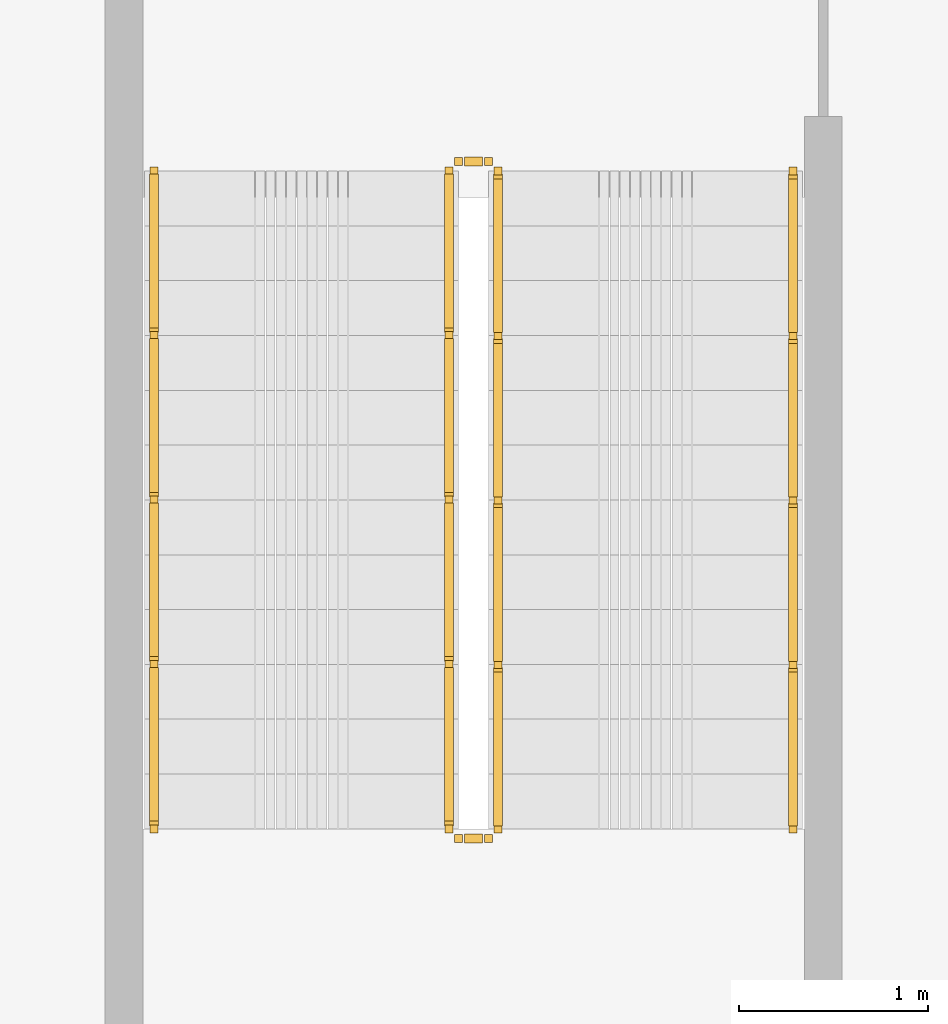
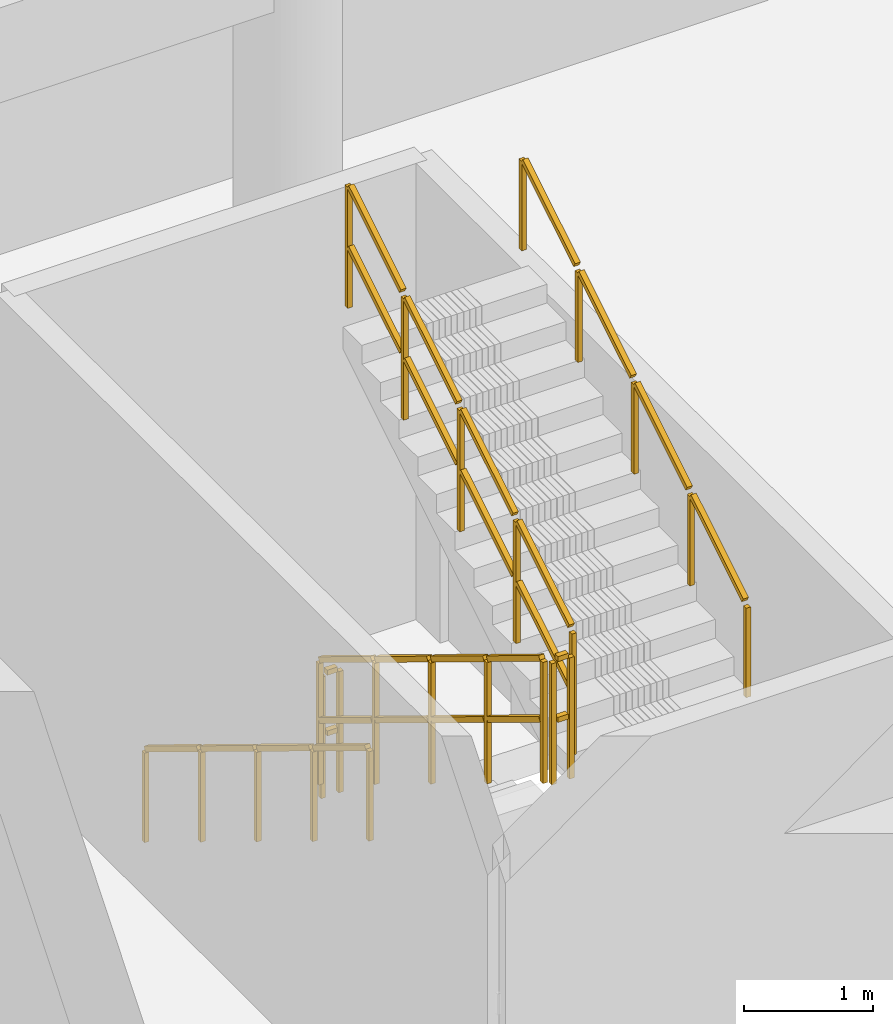
# One storey, part 10 of 12: 6 railings.
"""IFC4 building model written with IfcOpenShell, lengths in metres."""

from ifc_helpers import new_model, si_unit, direction, frame, origin, origin_2d, place, context, subcontext, project, spatial, rectangle, extrude, material, type_object, element, save


model = new_model("IFC4")

# Units and contexts
model_context = context("Model", 3, precision=1e-05, world=origin(), true_north=direction((0.0, 1.0)))
body_context = subcontext(model_context, "Body", "Model", "MODEL_VIEW")
ifc_project = project(units=[si_unit("LENGTHUNIT", "METRE"), si_unit("AREAUNIT", "SQUARE_METRE"), si_unit("VOLUMEUNIT", "CUBIC_METRE"), si_unit("PLANEANGLEUNIT", "RADIAN"), si_unit("MASSUNIT", "GRAM", prefix="KILO")], contexts=[model_context])

# Site, building, storey
site_placement = place(None, origin())
site = spatial("IfcSite", under=ifc_project, at=site_placement, CompositionType="ELEMENT")
building_placement = place(site_placement, origin())
building = spatial("IfcBuilding", under=site, at=building_placement, Name="Saelheon Loggia Tower", CompositionType="ELEMENT")
storey_placement = place(building_placement, frame((0.0, 0.0, -4.60009765625)))
storey = spatial("IfcBuildingStorey", under=building, at=storey_placement, Name="B1", CompositionType="ELEMENT", Elevation=-4.60009765625)

# Railings
ifc_material_1 = material(Name="Galvanised Steel S275 Stairwell Guardrail", Category="steel")
railing_type_1 = type_object("IfcRailingType", Name="Guard_StairWell_RL_STG", PredefinedType="GUARDRAIL", material=ifc_material_1)
railing_1_placement = place(storey_placement, frame((4.9599609375, 45.85009765625, 0.177001953125)))
element("IfcRailing", 1, at=railing_1_placement, inside=storey, type_object=railing_type_1, Name="B1 ST3 stair guard 1", PredefinedType="GUARDRAIL", context=body_context, shape_type="SweptSolid", body=[
    extrude(rectangle(XDim=0.048095703125, YDim=0.048095703125, at=origin_2d()), frame((0.0, -0.0283203125, 1.193115234375), z_axis=(0.0, -0.853675385439, 0.520805468765), x_axis=(1.0, 0.0, 0.0)), (0.0, 0.0, 1.0), 0.95263671875),
    extrude(rectangle(XDim=0.048095703125, YDim=0.048095703125, at=origin_2d()), frame((0.0, -0.0283203125, 0.6171875), z_axis=(0.0, -0.853675385439, 0.520805468765), x_axis=(1.0, 0.0, 0.0)), (0.0, 0.0, 1.0), 0.95263671875),
    extrude(rectangle(XDim=0.048095703125, YDim=0.048095703125, at=origin_2d()), frame((0.0, -0.8984375, 1.723876953125), z_axis=(0.0, -0.853675385439, 0.520805468765), x_axis=(1.0, 0.0, 0.0)), (0.0, 0.0, 1.0), 0.95263671875),
    extrude(rectangle(XDim=0.048095703125, YDim=0.048095703125, at=origin_2d()), frame((0.0, -0.8984375, 1.14794921875), z_axis=(0.0, -0.853675385439, 0.520805468765), x_axis=(1.0, 0.0, 0.0)), (0.0, 0.0, 1.0), 0.95263671875),
    extrude(rectangle(XDim=0.048095703125, YDim=0.048095703125, at=origin_2d()), frame((0.0, -1.768310546875, 2.254638671875), z_axis=(0.0, -0.853675385439, 0.520805468765), x_axis=(1.0, 0.0, 0.0)), (0.0, 0.0, 1.0), 0.95263671875),
    extrude(rectangle(XDim=0.048095703125, YDim=0.048095703125, at=origin_2d()), frame((0.0, -1.768310546875, 1.6787109375), z_axis=(0.0, -0.853675385439, 0.520805468765), x_axis=(1.0, 0.0, 0.0)), (0.0, 0.0, 1.0), 0.95263671875),
    extrude(rectangle(XDim=0.048095703125, YDim=0.048095703125, at=origin_2d()), frame((0.0, -2.638427734375, 2.785400390625), z_axis=(0.0, -0.853675385439, 0.520805468765), x_axis=(1.0, 0.0, 0.0)), (0.0, 0.0, 1.0), 0.95263671875),
    extrude(rectangle(XDim=0.048095703125, YDim=0.048095703125, at=origin_2d()), frame((0.0, -2.638427734375, 2.20947265625), z_axis=(0.0, -0.853675385439, 0.520805468765), x_axis=(1.0, 0.0, 0.0)), (0.0, 0.0, 1.0), 0.95263671875),
    extrude(rectangle(XDim=0.0419921875, YDim=0.0419921875, at=origin_2d()), origin(), (0.0, 0.0, 1.0), 1.14794921875),
    extrude(rectangle(XDim=0.0419921875, YDim=0.0419921875, at=origin_2d()), frame((0.0, -0.8701171875, 0.53076171875)), (0.0, 0.0, 1.0), 1.14794921875),
    extrude(rectangle(XDim=0.0419921875, YDim=0.0419921875, at=origin_2d()), frame((0.0, -1.739990234375, 1.0615234375)), (0.0, 0.0, 1.0), 1.14794921875),
    extrude(rectangle(XDim=0.0419921875, YDim=0.0419921875, at=origin_2d()), frame((0.0, -2.60986328125, 1.59228515625)), (0.0, 0.0, 1.0), 1.14794921875),
    extrude(rectangle(XDim=0.0419921875, YDim=0.0419921875, at=origin_2d()), frame((0.0, -3.47998046875, 2.123046875)), (0.0, 0.0, 1.0), 1.14794921875),
])
railing_2_placement = place(storey_placement, frame((5.010009765625, 42.320068359375, 2.300048828125)))
element("IfcRailing", 2, at=railing_2_placement, inside=storey, type_object=railing_type_1, Name="B1 ST3 stair guard 2", PredefinedType="GUARDRAIL", context=body_context, shape_type="SweptSolid", body=[
    extrude(rectangle(XDim=0.048095703125, YDim=0.048095703125, at=origin_2d()), frame((0.033203125, 0.0, 1.17578125), z_axis=(1.0, 0.0, 0.0), x_axis=(0.0, 1.0, 0.0)), (0.0, 0.0, 1.0), 0.093505859375),
    extrude(rectangle(XDim=0.048095703125, YDim=0.048095703125, at=origin_2d()), frame((0.033203125, 0.0, 0.60009765625), z_axis=(1.0, 0.0, 0.0), x_axis=(0.0, 1.0, 0.0)), (0.0, 0.0, 1.0), 0.093505859375),
    extrude(rectangle(XDim=0.0419921875, YDim=0.0419921875, at=origin_2d()), origin(), (0.0, 0.0, 1.0), 1.14794921875),
    extrude(rectangle(XDim=0.0419921875, YDim=0.0419921875, at=origin_2d()), frame((0.159912109375, 0.0, 0.0)), (0.0, 0.0, 1.0), 1.14794921875),
])
railing_3_placement = place(storey_placement, frame((5.219970703125, 42.3701171875, 2.47705078125)))
element("IfcRailing", 3, at=railing_3_placement, inside=storey, type_object=railing_type_1, Name="B1 ST3 stair guard 3", PredefinedType="GUARDRAIL", context=body_context, shape_type="SweptSolid", body=[
    extrude(rectangle(XDim=0.048095703125, YDim=0.048095703125, at=origin_2d()), frame((0.0, 0.0283203125, 1.193115234375), z_axis=(0.0, 0.853675385439, 0.520805468765), x_axis=(-1.0, 0.0, 0.0)), (0.0, 0.0, 1.0), 0.95263671875),
    extrude(rectangle(XDim=0.048095703125, YDim=0.048095703125, at=origin_2d()), frame((0.0, 0.0283203125, 0.6171875), z_axis=(0.0, 0.853675385439, 0.520805468765), x_axis=(-1.0, 0.0, 0.0)), (0.0, 0.0, 1.0), 0.95263671875),
    extrude(rectangle(XDim=0.048095703125, YDim=0.048095703125, at=origin_2d()), frame((0.0, 0.8984375, 1.723876953125), z_axis=(0.0, 0.853675385439, 0.520805468765), x_axis=(-1.0, 0.0, 0.0)), (0.0, 0.0, 1.0), 0.95263671875),
    extrude(rectangle(XDim=0.048095703125, YDim=0.048095703125, at=origin_2d()), frame((0.0, 0.8984375, 1.14794921875), z_axis=(0.0, 0.853675385439, 0.520805468765), x_axis=(-1.0, 0.0, 0.0)), (0.0, 0.0, 1.0), 0.95263671875),
    extrude(rectangle(XDim=0.048095703125, YDim=0.048095703125, at=origin_2d()), frame((0.0, 1.768310546875, 2.254638671875), z_axis=(0.0, 0.853675385439, 0.520805468765), x_axis=(-1.0, 0.0, 0.0)), (0.0, 0.0, 1.0), 0.95263671875),
    extrude(rectangle(XDim=0.048095703125, YDim=0.048095703125, at=origin_2d()), frame((0.0, 1.768310546875, 1.6787109375), z_axis=(0.0, 0.853675385439, 0.520805468765), x_axis=(-1.0, 0.0, 0.0)), (0.0, 0.0, 1.0), 0.95263671875),
    extrude(rectangle(XDim=0.048095703125, YDim=0.048095703125, at=origin_2d()), frame((0.0, 2.638427734375, 2.785400390625), z_axis=(0.0, 0.853675385439, 0.520805468765), x_axis=(-1.0, 0.0, 0.0)), (0.0, 0.0, 1.0), 0.95263671875),
    extrude(rectangle(XDim=0.048095703125, YDim=0.048095703125, at=origin_2d()), frame((0.0, 2.638427734375, 2.20947265625), z_axis=(0.0, 0.853675385439, 0.520805468765), x_axis=(-1.0, 0.0, 0.0)), (0.0, 0.0, 1.0), 0.95263671875),
    extrude(rectangle(XDim=0.0419921875, YDim=0.0419921875, at=origin_2d()), origin(), (0.0, 0.0, 1.0), 1.14794921875),
    extrude(rectangle(XDim=0.0419921875, YDim=0.0419921875, at=origin_2d()), frame((0.0, 0.8701171875, 0.53076171875)), (0.0, 0.0, 1.0), 1.14794921875),
    extrude(rectangle(XDim=0.0419921875, YDim=0.0419921875, at=origin_2d()), frame((0.0, 1.739990234375, 1.0615234375)), (0.0, 0.0, 1.0), 1.14794921875),
    extrude(rectangle(XDim=0.0419921875, YDim=0.0419921875, at=origin_2d()), frame((0.0, 2.60986328125, 1.59228515625)), (0.0, 0.0, 1.0), 1.14794921875),
    extrude(rectangle(XDim=0.0419921875, YDim=0.0419921875, at=origin_2d()), frame((0.0, 3.47998046875, 2.123046875)), (0.0, 0.0, 1.0), 1.14794921875),
])
railing_4_placement = place(storey_placement, frame((5.010009765625, 45.89990234375, 0.0)))
element("IfcRailing", 4, at=railing_4_placement, inside=storey, type_object=railing_type_1, Name="B1 ST3 stair guard 4", PredefinedType="GUARDRAIL", context=body_context, shape_type="SweptSolid", body=[
    extrude(rectangle(XDim=0.048095703125, YDim=0.048095703125, at=origin_2d()), frame((0.033203125, 0.0, 1.17578125), z_axis=(1.0, 0.0, 0.0), x_axis=(0.0, 1.0, 0.0)), (0.0, 0.0, 1.0), 0.093505859375),
    extrude(rectangle(XDim=0.048095703125, YDim=0.048095703125, at=origin_2d()), frame((0.033203125, 0.0, 0.60009765625), z_axis=(1.0, 0.0, 0.0), x_axis=(0.0, 1.0, 0.0)), (0.0, 0.0, 1.0), 0.093505859375),
    extrude(rectangle(XDim=0.0419921875, YDim=0.0419921875, at=origin_2d()), origin(), (0.0, 0.0, 1.0), 1.14794921875),
    extrude(rectangle(XDim=0.0419921875, YDim=0.0419921875, at=origin_2d()), frame((0.159912109375, 0.0, 0.0)), (0.0, 0.0, 1.0), 1.14794921875),
])
ifc_material_2 = material(Name="Stainless Steel 304 Tubular Handrail", Category="steel")
railing_type_2 = type_object("IfcRailingType", Name="Handrail_Stair_RL_HR1", PredefinedType="HANDRAIL", material=ifc_material_2)
railing_5_placement = place(storey_placement, frame((3.39990234375, 45.85009765625, 0.177001953125)))
element("IfcRailing", 5, at=railing_5_placement, inside=storey, type_object=railing_type_2, Name="B1 ST3 stair handrail 1", PredefinedType="HANDRAIL", context=body_context, shape_type="SweptSolid", body=[
    extrude(rectangle(XDim=0.048095703125, YDim=0.048095703125, at=origin_2d()), frame((0.0, -0.0283203125, 0.89306640625), z_axis=(0.0, -0.853675385439, 0.520805468765), x_axis=(1.0, 0.0, 0.0)), (0.0, 0.0, 1.0), 0.95263671875),
    extrude(rectangle(XDim=0.048095703125, YDim=0.048095703125, at=origin_2d()), frame((0.0, -0.8984375, 1.423828125), z_axis=(0.0, -0.853675385439, 0.520805468765), x_axis=(1.0, 0.0, 0.0)), (0.0, 0.0, 1.0), 0.95263671875),
    extrude(rectangle(XDim=0.048095703125, YDim=0.048095703125, at=origin_2d()), frame((0.0, -1.768310546875, 1.95458984375), z_axis=(0.0, -0.853675385439, 0.520805468765), x_axis=(1.0, 0.0, 0.0)), (0.0, 0.0, 1.0), 0.95263671875),
    extrude(rectangle(XDim=0.048095703125, YDim=0.048095703125, at=origin_2d()), frame((0.0, -2.638427734375, 2.4853515625), z_axis=(0.0, -0.853675385439, 0.520805468765), x_axis=(1.0, 0.0, 0.0)), (0.0, 0.0, 1.0), 0.95263671875),
    extrude(rectangle(XDim=0.0419921875, YDim=0.0419921875, at=origin_2d()), origin(), (0.0, 0.0, 1.0), 0.847900390625),
    extrude(rectangle(XDim=0.0419921875, YDim=0.0419921875, at=origin_2d()), frame((0.0, -0.8701171875, 0.53076171875)), (0.0, 0.0, 1.0), 0.847900390625),
    extrude(rectangle(XDim=0.0419921875, YDim=0.0419921875, at=origin_2d()), frame((0.0, -1.739990234375, 1.0615234375)), (0.0, 0.0, 1.0), 0.847900390625),
    extrude(rectangle(XDim=0.0419921875, YDim=0.0419921875, at=origin_2d()), frame((0.0, -2.60986328125, 1.59228515625)), (0.0, 0.0, 1.0), 0.847900390625),
    extrude(rectangle(XDim=0.0419921875, YDim=0.0419921875, at=origin_2d()), frame((0.0, -3.47998046875, 2.123046875)), (0.0, 0.0, 1.0), 0.847900390625),
])
railing_6_placement = place(storey_placement, frame((6.780029296875, 42.3701171875, 2.47705078125)))
element("IfcRailing", 6, at=railing_6_placement, inside=storey, type_object=railing_type_2, Name="B1 ST3 stair handrail 2", PredefinedType="HANDRAIL", context=body_context, shape_type="SweptSolid", body=[
    extrude(rectangle(XDim=0.048095703125, YDim=0.048095703125, at=origin_2d()), frame((0.0, 0.0283203125, 0.89306640625), z_axis=(0.0, 0.853675385439, 0.520805468765), x_axis=(-1.0, 0.0, 0.0)), (0.0, 0.0, 1.0), 0.95263671875),
    extrude(rectangle(XDim=0.048095703125, YDim=0.048095703125, at=origin_2d()), frame((0.0, 0.8984375, 1.423828125), z_axis=(0.0, 0.853675385439, 0.520805468765), x_axis=(-1.0, 0.0, 0.0)), (0.0, 0.0, 1.0), 0.95263671875),
    extrude(rectangle(XDim=0.048095703125, YDim=0.048095703125, at=origin_2d()), frame((0.0, 1.768310546875, 1.95458984375), z_axis=(0.0, 0.853675385439, 0.520805468765), x_axis=(-1.0, 0.0, 0.0)), (0.0, 0.0, 1.0), 0.95263671875),
    extrude(rectangle(XDim=0.048095703125, YDim=0.048095703125, at=origin_2d()), frame((0.0, 2.638427734375, 2.4853515625), z_axis=(0.0, 0.853675385439, 0.520805468765), x_axis=(-1.0, 0.0, 0.0)), (0.0, 0.0, 1.0), 0.95263671875),
    extrude(rectangle(XDim=0.0419921875, YDim=0.0419921875, at=origin_2d()), origin(), (0.0, 0.0, 1.0), 0.847900390625),
    extrude(rectangle(XDim=0.0419921875, YDim=0.0419921875, at=origin_2d()), frame((0.0, 0.8701171875, 0.53076171875)), (0.0, 0.0, 1.0), 0.847900390625),
    extrude(rectangle(XDim=0.0419921875, YDim=0.0419921875, at=origin_2d()), frame((0.0, 1.739990234375, 1.0615234375)), (0.0, 0.0, 1.0), 0.847900390625),
    extrude(rectangle(XDim=0.0419921875, YDim=0.0419921875, at=origin_2d()), frame((0.0, 2.60986328125, 1.59228515625)), (0.0, 0.0, 1.0), 0.847900390625),
    extrude(rectangle(XDim=0.0419921875, YDim=0.0419921875, at=origin_2d()), frame((0.0, 3.47998046875, 2.123046875)), (0.0, 0.0, 1.0), 0.847900390625),
])

save(model, "model.ifc")
